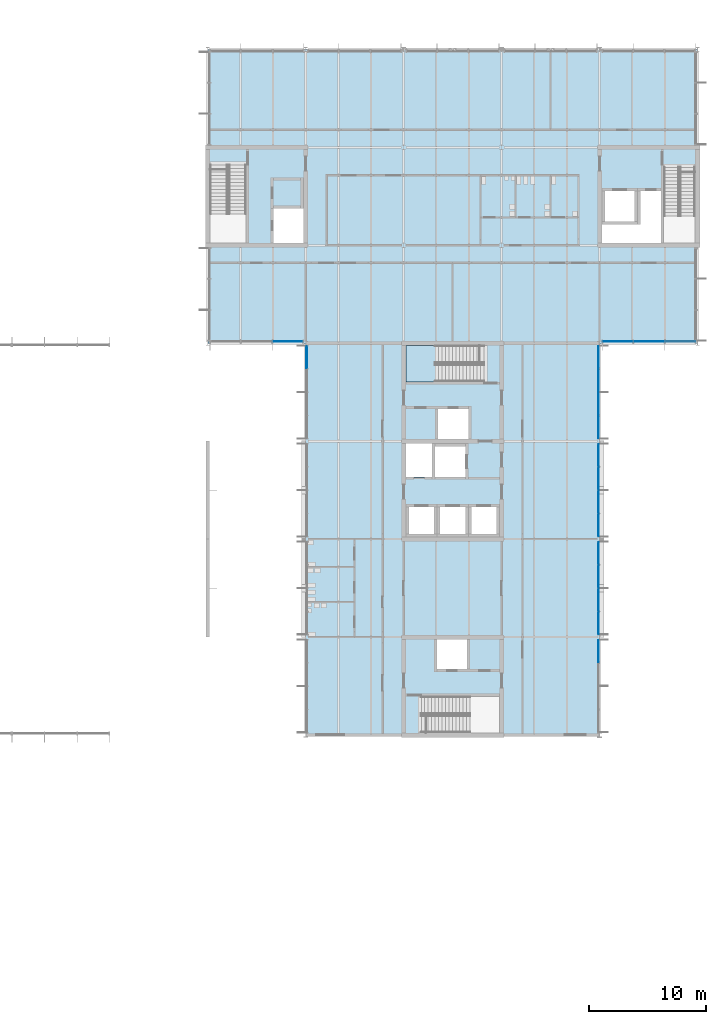
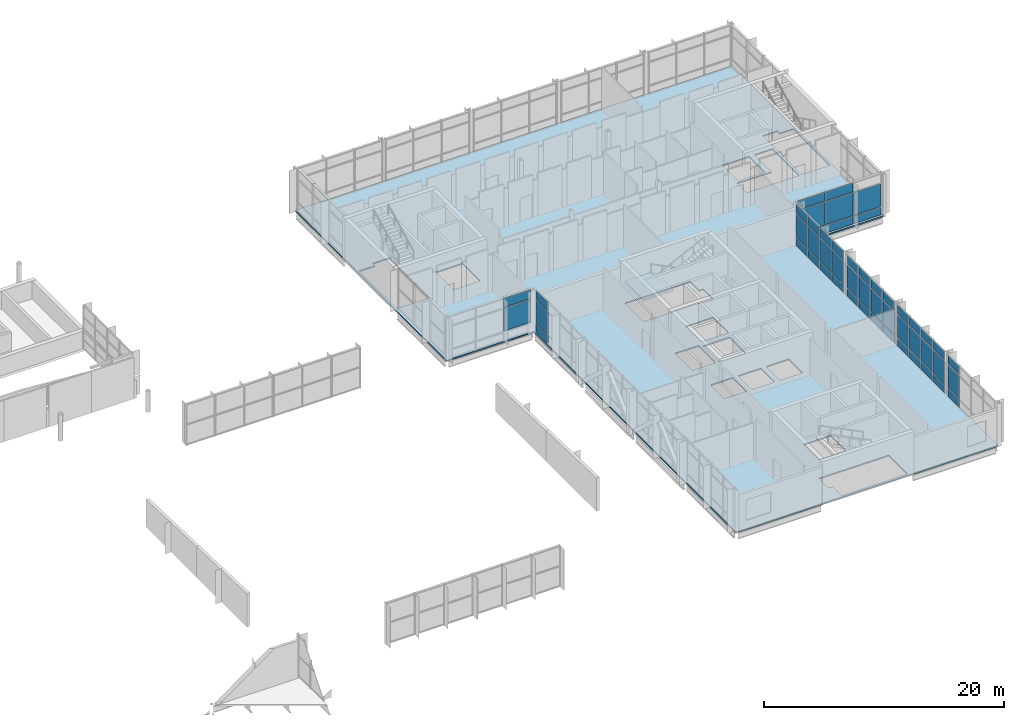
# One storey, part 34 of 72: 52 plates, 2 slabs, 8 elements without a shape of their own.
"""IFC4 building model written with IfcOpenShell, lengths in metres."""

from ifc_helpers import new_model, si_unit, direction, frame, origin, origin_2d, place, context, subcontext, project, spatial, polyline, rectangle, outline, extrude, material, layer, layer_set, type_object, element, aggregate, save


model = new_model("IFC4")

# Units and contexts
model_context = context("Model", 3, precision=1e-05, world=origin(), true_north=direction((0.0, 1.0)))
body_context = subcontext(model_context, "Body", "Model", "MODEL_VIEW")
ifc_project = project(units=[si_unit("LENGTHUNIT", "METRE"), si_unit("AREAUNIT", "SQUARE_METRE"), si_unit("VOLUMEUNIT", "CUBIC_METRE"), si_unit("PLANEANGLEUNIT", "RADIAN"), si_unit("MASSUNIT", "GRAM", prefix="KILO")], contexts=[model_context])

# Site, building, storey
site_placement = place(None, origin())
site = spatial("IfcSite", under=ifc_project, at=site_placement, CompositionType="ELEMENT")
building_placement = place(site_placement, origin())
building = spatial("IfcBuilding", under=site, at=building_placement, Name="Hlaing Beacon Police Headquarters", CompositionType="ELEMENT")
storey_placement = place(building_placement, frame((0.0, 0.0, 14.39990234375)))
storey = spatial("IfcBuildingStorey", under=building, at=storey_placement, Name="L03", CompositionType="ELEMENT", Elevation=14.39990234375)

# Curtain wall, plate
ifc_material_1 = material(Name="Aluminium frame with solar control glazing", Category="aluminium")
curtain_wall_type_1 = type_object("IfcCurtainWallType", Name="Unitised curtain wall 8.00 x 4.37", PredefinedType="NOTDEFINED", material=ifc_material_1)
curtain_wall_1_placement = place(storey_placement, origin())
curtain_wall_1 = element("IfcCurtainWall", 1, at=curtain_wall_1_placement, inside=storey, type_object=curtain_wall_type_1, Name="ENV-CW-L03-E021", PredefinedType="NOTDEFINED")
ifc_material_2 = material(Name="Solar control glazing", Category="glass")
ifc_layer_1 = layer(ifc_material_2, 0.0439453125)
ifc_layer_set_1 = layer_set([ifc_layer_1], Name="Solar control glazing")
plate_type_1 = type_object("IfcPlateType", Name="Clear glazing panel 44", PredefinedType="CURTAIN_PANEL", material=ifc_layer_set_1)
plate_1_placement = place(storey_placement, frame((125.89990234375, 40.79443359375, 0.9501953125), z_axis=(0.0, 0.0, 1.0), x_axis=(0.0, 1.0, 0.0)))
plate_1 = element("IfcPlate", 2, at=plate_1_placement, type_object=plate_type_1, Name="CW-L03-E021 panel 4.2", PredefinedType="CURTAIN_PANEL", context=body_context, shape_type="SweptSolid", body=[
    extrude(rectangle(XDim=1.910400390625, YDim=0.0439453125, at=origin_2d()), origin(), (0.0, 0.0, 1.0), 2.300048828125),
])

# Curtain wall, plates
ifc_material_3 = material(Name="Aluminium frame with solar control glazing", Category="aluminium")
curtain_wall_type_2 = type_object("IfcCurtainWallType", Name="Unitised curtain wall 8.02 x 4.37", PredefinedType="NOTDEFINED", material=ifc_material_3)
curtain_wall_2_placement = place(storey_placement, origin())
curtain_wall_2 = element("IfcCurtainWall", 3, at=curtain_wall_2_placement, inside=storey, type_object=curtain_wall_type_2, Name="ENV-CW-L03-E022", PredefinedType="NOTDEFINED")
plate_2_placement = place(storey_placement, frame((125.909912109375, 45.197509765625, 0.9501953125), z_axis=(0.0, 0.0, 1.0), x_axis=(0.0, 1.0, 0.0)))
plate_2 = element("IfcPlate", 4, at=plate_2_placement, type_object=plate_type_1, Name="CW-L03-E022 panel 2.2", PredefinedType="CURTAIN_PANEL", context=body_context, shape_type="SweptSolid", body=[
    extrude(rectangle(XDim=1.94482421875, YDim=0.0439453125, at=origin_2d()), origin(), (0.0, 0.0, 1.0), 2.300048828125),
])
plate_3_placement = place(storey_placement, frame((125.909912109375, 49.192138671875, 0.9501953125), z_axis=(0.0, 0.0, 1.0), x_axis=(0.0, 1.0, 0.0)))
plate_3 = element("IfcPlate", 5, at=plate_3_placement, type_object=plate_type_1, Name="CW-L03-E022 panel 4.2", PredefinedType="CURTAIN_PANEL", context=body_context, shape_type="SweptSolid", body=[
    extrude(rectangle(XDim=1.914794921875, YDim=0.0439453125, at=origin_2d()), origin(), (0.0, 0.0, 1.0), 2.300048828125),
])

curtain_wall_3_placement = place(storey_placement, origin())
curtain_wall_3 = element("IfcCurtainWall", 6, at=curtain_wall_3_placement, inside=storey, type_object=curtain_wall_type_2, Name="ENV-CW-L03-E023", PredefinedType="NOTDEFINED")
plate_4_placement = place(storey_placement, frame((125.909912109375, 53.59765625, 0.9501953125), z_axis=(0.0, 0.0, 1.0), x_axis=(0.0, 1.0, 0.0)))
plate_4 = element("IfcPlate", 7, at=plate_4_placement, type_object=plate_type_1, Name="CW-L03-E023 panel 2.2", PredefinedType="CURTAIN_PANEL", context=body_context, shape_type="SweptSolid", body=[
    extrude(rectangle(XDim=1.94482421875, YDim=0.0439453125, at=origin_2d()), origin(), (0.0, 0.0, 1.0), 2.300048828125),
])
plate_5_placement = place(storey_placement, frame((125.909912109375, 57.592041015625, 0.9501953125), z_axis=(0.0, 0.0, 1.0), x_axis=(0.0, 1.0, 0.0)))
plate_5 = element("IfcPlate", 8, at=plate_5_placement, type_object=plate_type_1, Name="CW-L03-E023 panel 4.2", PredefinedType="CURTAIN_PANEL", context=body_context, shape_type="SweptSolid", body=[
    extrude(rectangle(XDim=1.914794921875, YDim=0.0439453125, at=origin_2d()), origin(), (0.0, 0.0, 1.0), 2.300048828125),
])

curtain_wall_4_placement = place(storey_placement, origin())
curtain_wall_4 = element("IfcCurtainWall", 9, at=curtain_wall_4_placement, inside=storey, type_object=curtain_wall_type_2, Name="ENV-CW-L03-E024", PredefinedType="NOTDEFINED")
plate_6_placement = place(storey_placement, frame((125.89990234375, 61.9990234375, 0.9501953125), z_axis=(0.0, 0.0, 1.0), x_axis=(0.0, 1.0, 0.0)))
plate_6 = element("IfcPlate", 10, at=plate_6_placement, type_object=plate_type_1, Name="CW-L03-E024 panel 2.2", PredefinedType="CURTAIN_PANEL", context=body_context, shape_type="SweptSolid", body=[
    extrude(rectangle(XDim=1.94580078125, YDim=0.0439453125, at=origin_2d()), origin(), (0.0, 0.0, 1.0), 2.300048828125),
])
plate_7_placement = place(storey_placement, frame((125.89990234375, 65.995361328125, 0.9501953125), z_axis=(0.0, 0.0, 1.0), x_axis=(0.0, 1.0, 0.0)))
plate_7 = element("IfcPlate", 11, at=plate_7_placement, type_object=plate_type_1, Name="CW-L03-E024 panel 4.2", PredefinedType="CURTAIN_PANEL", context=body_context, shape_type="SweptSolid", body=[
    extrude(rectangle(XDim=1.915771484375, YDim=0.0439453125, at=origin_2d()), origin(), (0.0, 0.0, 1.0), 2.300048828125),
])

# Slab
ifc_material_4 = material(Name="Concrete C40/50", Category="concrete")
ifc_layer_2 = layer(ifc_material_4, 0.1298828125)
ifc_layer_set_2 = layer_set([ifc_layer_2], Name="Concrete C40/50")
slab_type_1 = type_object("IfcSlabType", Name="Composite deck slab 130", PredefinedType="FLOOR", material=ifc_layer_set_2)
slab_1_placement = place(storey_placement, frame((0.0, 0.0, -0.1298828125)))
element("IfcSlab", 12, at=slab_1_placement, inside=storey, type_object=slab_type_1, Name="STR-SLAB-L03-02", PredefinedType="FLOOR", context=body_context, shape_type="SweptSolid", body=[
    extrude(outline(polyline([(100.800048828125, 33.60009765625), (126.0, 33.60009765625), (126.0, 67.199951171875), (134.39990234375, 67.199951171875), (134.39990234375, 92.39990234375), (92.39990234375, 92.39990234375), (92.39990234375, 67.199951171875), (100.800048828125, 67.199951171875), (100.800048828125, 33.60009765625)]), holes=[polyline([(92.60009765625, 75.800048828125), (95.699951171875, 75.800048828125), (95.699951171875, 82.489990234375), (94.10009765625, 82.489990234375), (94.10009765625, 82.10009765625), (92.60009765625, 82.10009765625), (92.60009765625, 75.800048828125)]), polyline([(98.050048828125, 75.800048828125), (100.60009765625, 75.800048828125), (100.60009765625, 78.75), (98.050048828125, 78.75), (98.050048828125, 75.800048828125)]), polyline([(109.39990234375, 55.75), (111.64990234375, 55.75), (111.64990234375, 58.60009765625), (109.39990234375, 58.60009765625), (109.39990234375, 55.75)]), polyline([(109.39990234375, 63.89990234375), (116.090087890625, 63.89990234375), (116.090087890625, 65.5), (115.699951171875, 65.5), (115.699951171875, 67.0), (109.39990234375, 67.0), (109.39990234375, 63.89990234375)]), polyline([(109.64990234375, 50.85009765625), (111.800048828125, 50.85009765625), (111.800048828125, 53.14990234375), (109.64990234375, 53.14990234375), (109.64990234375, 50.85009765625)]), polyline([(111.10009765625, 33.800048828125), (117.39990234375, 33.800048828125), (117.39990234375, 36.89990234375), (110.7099609375, 36.89990234375), (110.7099609375, 35.300048828125), (111.10009765625, 35.300048828125), (111.10009765625, 33.800048828125)]), polyline([(111.89990234375, 55.75), (114.5, 55.75), (114.5, 58.35009765625), (111.89990234375, 58.35009765625), (111.89990234375, 55.75)]), polyline([(112.050048828125, 39.25), (114.64990234375, 39.25), (114.64990234375, 41.800048828125), (112.050048828125, 41.800048828125), (112.050048828125, 39.25)]), polyline([(112.14990234375, 59.0), (114.75, 59.0), (114.75, 61.550048828125), (112.14990234375, 61.550048828125), (112.14990234375, 59.0)]), polyline([(112.300048828125, 50.85009765625), (114.5, 50.85009765625), (114.5, 53.14990234375), (112.300048828125, 53.14990234375), (112.300048828125, 50.85009765625)]), polyline([(115.0, 50.85009765625), (117.14990234375, 50.85009765625), (117.14990234375, 53.14990234375), (115.0, 53.14990234375), (115.0, 50.85009765625)]), polyline([(126.199951171875, 75.800048828125), (131.25, 75.800048828125), (131.25, 80.25), (129.5, 80.25), (129.5, 77.39990234375), (126.199951171875, 77.39990234375), (126.199951171875, 75.800048828125)]), polyline([(126.449951171875, 77.64990234375), (129.0, 77.64990234375), (129.0, 80.25), (126.449951171875, 80.25), (126.449951171875, 77.64990234375)]), polyline([(131.5, 75.800048828125), (134.199951171875, 75.800048828125), (134.199951171875, 81.89990234375), (132.89990234375, 81.89990234375), (132.89990234375, 82.2900390625), (131.5, 82.2900390625), (131.5, 75.800048828125)])]), origin(), (0.0, 0.0, 1.0), 0.1298828125),
])

# Plate
ifc_material_5 = material(Name="Fritted solar control glazing", Category="glass")
ifc_layer_3 = layer(ifc_material_5, 0.0439453125)
ifc_layer_set_3 = layer_set([ifc_layer_3], Name="Fritted solar control glazing")
plate_type_2 = type_object("IfcPlateType", Name="Fritted glazing panel 44", PredefinedType="CURTAIN_PANEL", material=ifc_layer_set_3)
plate_8_placement = place(storey_placement, frame((125.909912109375, 43.207763671875, 0.9501953125), z_axis=(0.0, 0.0, 1.0), x_axis=(0.0, 1.0, 0.0)))
plate_8 = element("IfcPlate", 13, at=plate_8_placement, type_object=plate_type_2, Name="CW-L03-E022 panel 1.2", PredefinedType="CURTAIN_PANEL", context=body_context, shape_type="SweptSolid", body=[
    extrude(rectangle(XDim=1.914794921875, YDim=0.0439453125, at=origin_2d()), origin(), (0.0, 0.0, 1.0), 2.300048828125),
])

plate_9_placement = place(storey_placement, frame((125.909912109375, 47.202392578125, 0.9501953125), z_axis=(0.0, 0.0, 1.0), x_axis=(0.0, 1.0, 0.0)))
plate_9 = element("IfcPlate", 14, at=plate_9_placement, type_object=plate_type_2, Name="CW-L03-E022 panel 3.2", PredefinedType="CURTAIN_PANEL", context=body_context, shape_type="SweptSolid", body=[
    extrude(rectangle(XDim=1.94482421875, YDim=0.0439453125, at=origin_2d()), origin(), (0.0, 0.0, 1.0), 2.300048828125),
])

plate_10_placement = place(storey_placement, frame((125.909912109375, 51.60791015625, 0.9501953125), z_axis=(0.0, 0.0, 1.0), x_axis=(0.0, 1.0, 0.0)))
plate_10 = element("IfcPlate", 15, at=plate_10_placement, type_object=plate_type_2, Name="CW-L03-E023 panel 1.2", PredefinedType="CURTAIN_PANEL", context=body_context, shape_type="SweptSolid", body=[
    extrude(rectangle(XDim=1.914794921875, YDim=0.0439453125, at=origin_2d()), origin(), (0.0, 0.0, 1.0), 2.300048828125),
])

plate_11_placement = place(storey_placement, frame((125.909912109375, 55.602294921875, 0.9501953125), z_axis=(0.0, 0.0, 1.0), x_axis=(0.0, 1.0, 0.0)))
plate_11 = element("IfcPlate", 16, at=plate_11_placement, type_object=plate_type_2, Name="CW-L03-E023 panel 3.2", PredefinedType="CURTAIN_PANEL", context=body_context, shape_type="SweptSolid", body=[
    extrude(rectangle(XDim=1.94482421875, YDim=0.0439453125, at=origin_2d()), origin(), (0.0, 0.0, 1.0), 2.300048828125),
])

plate_12_placement = place(storey_placement, frame((125.89990234375, 60.00830078125, 0.9501953125), z_axis=(0.0, 0.0, 1.0), x_axis=(0.0, 1.0, 0.0)))
plate_12 = element("IfcPlate", 17, at=plate_12_placement, type_object=plate_type_2, Name="CW-L03-E024 panel 1.2", PredefinedType="CURTAIN_PANEL", context=body_context, shape_type="SweptSolid", body=[
    extrude(rectangle(XDim=1.915771484375, YDim=0.0439453125, at=origin_2d()), origin(), (0.0, 0.0, 1.0), 2.300048828125),
])

plate_13_placement = place(storey_placement, frame((125.89990234375, 64.004638671875, 0.9501953125), z_axis=(0.0, 0.0, 1.0), x_axis=(0.0, 1.0, 0.0)))
plate_13 = element("IfcPlate", 18, at=plate_13_placement, type_object=plate_type_2, Name="CW-L03-E024 panel 3.2", PredefinedType="CURTAIN_PANEL", context=body_context, shape_type="SweptSolid", body=[
    extrude(rectangle(XDim=1.94580078125, YDim=0.0439453125, at=origin_2d()), origin(), (0.0, 0.0, 1.0), 2.300048828125),
])

# Curtain wall, plate
curtain_wall_5_placement = place(storey_placement, origin())
curtain_wall_5 = element("IfcCurtainWall", 19, at=curtain_wall_5_placement, inside=storey, type_object=curtain_wall_type_2, Name="ENV-CW-L03-W036", PredefinedType="NOTDEFINED")
plate_14_placement = place(storey_placement, frame((100.89990234375, 65.995361328125, 0.9501953125), z_axis=(0.0, 0.0, 1.0), x_axis=(0.0, -1.0, 0.0)))
plate_14 = element("IfcPlate", 20, at=plate_14_placement, type_object=plate_type_2, Name="CW-L03-W036 panel 1.2", PredefinedType="CURTAIN_PANEL", context=body_context, shape_type="SweptSolid", body=[
    extrude(rectangle(XDim=1.915771484375, YDim=0.0439453125, at=origin_2d()), origin(), (0.0, 0.0, 1.0), 2.300048828125),
])

# Plate
ifc_material_6 = material(Name="Insulated aluminium spandrel", Category="aluminium")
ifc_layer_4 = layer(ifc_material_6, 0.06005859375)
ifc_layer_set_4 = layer_set([ifc_layer_4], Name="Insulated aluminium spandrel")
plate_type_3 = type_object("IfcPlateType", Name="Insulated spandrel panel 60", PredefinedType="CURTAIN_PANEL", material=ifc_layer_set_4)
plate_15_placement = place(storey_placement, frame((125.89990234375, 40.79443359375, 0.10009765625), z_axis=(0.0, 0.0, 1.0), x_axis=(0.0, 1.0, 0.0)))
plate_15 = element("IfcPlate", 21, at=plate_15_placement, type_object=plate_type_3, Name="CW-L03-E021 panel 4.1", PredefinedType="CURTAIN_PANEL", context=body_context, shape_type="SweptSolid", body=[
    extrude(rectangle(XDim=1.910400390625, YDim=0.06005859375, at=origin_2d()), origin(), (0.0, 0.0, 1.0), 0.75),
])

plate_16_placement = place(storey_placement, frame((125.909912109375, 43.207763671875, 0.10009765625), z_axis=(0.0, 0.0, 1.0), x_axis=(0.0, 1.0, 0.0)))
plate_16 = element("IfcPlate", 22, at=plate_16_placement, type_object=plate_type_3, Name="CW-L03-E022 panel 1.1", PredefinedType="CURTAIN_PANEL", context=body_context, shape_type="SweptSolid", body=[
    extrude(rectangle(XDim=1.914794921875, YDim=0.06005859375, at=origin_2d()), origin(), (0.0, 0.0, 1.0), 0.75),
])

plate_17_placement = place(storey_placement, frame((125.909912109375, 45.197509765625, 0.10009765625), z_axis=(0.0, 0.0, 1.0), x_axis=(0.0, 1.0, 0.0)))
plate_17 = element("IfcPlate", 23, at=plate_17_placement, type_object=plate_type_3, Name="CW-L03-E022 panel 2.1", PredefinedType="CURTAIN_PANEL", context=body_context, shape_type="SweptSolid", body=[
    extrude(rectangle(XDim=1.94482421875, YDim=0.06005859375, at=origin_2d()), origin(), (0.0, 0.0, 1.0), 0.75),
])

plate_18_placement = place(storey_placement, frame((125.909912109375, 47.202392578125, 0.10009765625), z_axis=(0.0, 0.0, 1.0), x_axis=(0.0, 1.0, 0.0)))
plate_18 = element("IfcPlate", 24, at=plate_18_placement, type_object=plate_type_3, Name="CW-L03-E022 panel 3.1", PredefinedType="CURTAIN_PANEL", context=body_context, shape_type="SweptSolid", body=[
    extrude(rectangle(XDim=1.94482421875, YDim=0.06005859375, at=origin_2d()), origin(), (0.0, 0.0, 1.0), 0.75),
])

plate_19_placement = place(storey_placement, frame((125.909912109375, 49.192138671875, 0.10009765625), z_axis=(0.0, 0.0, 1.0), x_axis=(0.0, 1.0, 0.0)))
plate_19 = element("IfcPlate", 25, at=plate_19_placement, type_object=plate_type_3, Name="CW-L03-E022 panel 4.1", PredefinedType="CURTAIN_PANEL", context=body_context, shape_type="SweptSolid", body=[
    extrude(rectangle(XDim=1.914794921875, YDim=0.06005859375, at=origin_2d()), origin(), (0.0, 0.0, 1.0), 0.75),
])

plate_20_placement = place(storey_placement, frame((125.909912109375, 51.60791015625, 0.10009765625), z_axis=(0.0, 0.0, 1.0), x_axis=(0.0, 1.0, 0.0)))
plate_20 = element("IfcPlate", 26, at=plate_20_placement, type_object=plate_type_3, Name="CW-L03-E023 panel 1.1", PredefinedType="CURTAIN_PANEL", context=body_context, shape_type="SweptSolid", body=[
    extrude(rectangle(XDim=1.914794921875, YDim=0.06005859375, at=origin_2d()), origin(), (0.0, 0.0, 1.0), 0.75),
])

plate_21_placement = place(storey_placement, frame((125.909912109375, 53.59765625, 0.10009765625), z_axis=(0.0, 0.0, 1.0), x_axis=(0.0, 1.0, 0.0)))
plate_21 = element("IfcPlate", 27, at=plate_21_placement, type_object=plate_type_3, Name="CW-L03-E023 panel 2.1", PredefinedType="CURTAIN_PANEL", context=body_context, shape_type="SweptSolid", body=[
    extrude(rectangle(XDim=1.94482421875, YDim=0.06005859375, at=origin_2d()), origin(), (0.0, 0.0, 1.0), 0.75),
])

plate_22_placement = place(storey_placement, frame((125.909912109375, 55.602294921875, 0.10009765625), z_axis=(0.0, 0.0, 1.0), x_axis=(0.0, 1.0, 0.0)))
plate_22 = element("IfcPlate", 28, at=plate_22_placement, type_object=plate_type_3, Name="CW-L03-E023 panel 3.1", PredefinedType="CURTAIN_PANEL", context=body_context, shape_type="SweptSolid", body=[
    extrude(rectangle(XDim=1.94482421875, YDim=0.06005859375, at=origin_2d()), origin(), (0.0, 0.0, 1.0), 0.75),
])

plate_23_placement = place(storey_placement, frame((125.909912109375, 57.592041015625, 0.10009765625), z_axis=(0.0, 0.0, 1.0), x_axis=(0.0, 1.0, 0.0)))
plate_23 = element("IfcPlate", 29, at=plate_23_placement, type_object=plate_type_3, Name="CW-L03-E023 panel 4.1", PredefinedType="CURTAIN_PANEL", context=body_context, shape_type="SweptSolid", body=[
    extrude(rectangle(XDim=1.914794921875, YDim=0.06005859375, at=origin_2d()), origin(), (0.0, 0.0, 1.0), 0.75),
])

plate_24_placement = place(storey_placement, frame((125.89990234375, 60.00830078125, 0.10009765625), z_axis=(0.0, 0.0, 1.0), x_axis=(0.0, 1.0, 0.0)))
plate_24 = element("IfcPlate", 30, at=plate_24_placement, type_object=plate_type_3, Name="CW-L03-E024 panel 1.1", PredefinedType="CURTAIN_PANEL", context=body_context, shape_type="SweptSolid", body=[
    extrude(rectangle(XDim=1.915771484375, YDim=0.06005859375, at=origin_2d()), origin(), (0.0, 0.0, 1.0), 0.75),
])

plate_25_placement = place(storey_placement, frame((125.89990234375, 61.9990234375, 0.10009765625), z_axis=(0.0, 0.0, 1.0), x_axis=(0.0, 1.0, 0.0)))
plate_25 = element("IfcPlate", 31, at=plate_25_placement, type_object=plate_type_3, Name="CW-L03-E024 panel 2.1", PredefinedType="CURTAIN_PANEL", context=body_context, shape_type="SweptSolid", body=[
    extrude(rectangle(XDim=1.94580078125, YDim=0.06005859375, at=origin_2d()), origin(), (0.0, 0.0, 1.0), 0.75),
])

plate_26_placement = place(storey_placement, frame((125.89990234375, 64.004638671875, 0.10009765625), z_axis=(0.0, 0.0, 1.0), x_axis=(0.0, 1.0, 0.0)))
plate_26 = element("IfcPlate", 32, at=plate_26_placement, type_object=plate_type_3, Name="CW-L03-E024 panel 3.1", PredefinedType="CURTAIN_PANEL", context=body_context, shape_type="SweptSolid", body=[
    extrude(rectangle(XDim=1.94580078125, YDim=0.06005859375, at=origin_2d()), origin(), (0.0, 0.0, 1.0), 0.75),
])

plate_27_placement = place(storey_placement, frame((125.89990234375, 65.995361328125, 0.10009765625), z_axis=(0.0, 0.0, 1.0), x_axis=(0.0, 1.0, 0.0)))
plate_27 = element("IfcPlate", 33, at=plate_27_placement, type_object=plate_type_3, Name="CW-L03-E024 panel 4.1", PredefinedType="CURTAIN_PANEL", context=body_context, shape_type="SweptSolid", body=[
    extrude(rectangle(XDim=1.915771484375, YDim=0.06005859375, at=origin_2d()), origin(), (0.0, 0.0, 1.0), 0.75),
])

# Curtain wall, plates
ifc_material_7 = material(Name="Aluminium frame with solar control glazing", Category="aluminium")
curtain_wall_type_3 = type_object("IfcCurtainWallType", Name="Structural glazed gable wall 8.09 x 4.37", PredefinedType="NOTDEFINED", material=ifc_material_7)
curtain_wall_6_placement = place(storey_placement, origin())
curtain_wall_6 = element("IfcCurtainWall", 34, at=curtain_wall_6_placement, inside=storey, type_object=curtain_wall_type_3, Name="ENV-CW-L03-S025", PredefinedType="NOTDEFINED")
ifc_material_8 = material(Name="Insulated aluminium spandrel", Category="aluminium")
ifc_layer_5 = layer(ifc_material_8, 0.080078125)
ifc_layer_set_5 = layer_set([ifc_layer_5], Name="Insulated aluminium spandrel")
plate_type_4 = type_object("IfcPlateType", Name="Insulated spandrel panel 80", PredefinedType="CURTAIN_PANEL", material=ifc_layer_set_5)
plate_28_placement = place(storey_placement, frame((127.554443359375, 67.35009765625, 0.10009765625), z_axis=(0.0, 0.0, 1.0), x_axis=(1.0, 0.0, 0.0)))
plate_28 = element("IfcPlate", 35, at=plate_28_placement, type_object=plate_type_4, Name="CW-L03-S025 panel 1.1", PredefinedType="CURTAIN_PANEL", context=body_context, shape_type="SweptSolid", body=[
    extrude(rectangle(XDim=2.575439453125, YDim=0.080078125, at=origin_2d()), origin(), (0.0, 0.0, 1.0), 0.75),
])
plate_29_placement = place(storey_placement, frame((130.229736328125, 67.35009765625, 0.10009765625), z_axis=(0.0, 0.0, 1.0), x_axis=(1.0, 0.0, 0.0)))
plate_29 = element("IfcPlate", 36, at=plate_29_placement, type_object=plate_type_4, Name="CW-L03-S025 panel 2.1", PredefinedType="CURTAIN_PANEL", context=body_context, shape_type="SweptSolid", body=[
    extrude(rectangle(XDim=2.615478515625, YDim=0.080078125, at=origin_2d()), origin(), (0.0, 0.0, 1.0), 0.75),
])
plate_30_placement = place(storey_placement, frame((132.9052734375, 67.35009765625, 0.10009765625), z_axis=(0.0, 0.0, 1.0), x_axis=(1.0, 0.0, 0.0)))
plate_30 = element("IfcPlate", 37, at=plate_30_placement, type_object=plate_type_4, Name="CW-L03-S025 panel 3.1", PredefinedType="CURTAIN_PANEL", context=body_context, shape_type="SweptSolid", body=[
    extrude(rectangle(XDim=2.575439453125, YDim=0.080078125, at=origin_2d()), origin(), (0.0, 0.0, 1.0), 0.75),
])

# Plate
plate_31_placement = place(storey_placement, frame((100.89990234375, 65.995361328125, 0.10009765625), z_axis=(0.0, 0.0, 1.0), x_axis=(0.0, -1.0, 0.0)))
plate_31 = element("IfcPlate", 38, at=plate_31_placement, type_object=plate_type_4, Name="CW-L03-W036 panel 1.1", PredefinedType="CURTAIN_PANEL", context=body_context, shape_type="SweptSolid", body=[
    extrude(rectangle(XDim=1.915771484375, YDim=0.080078125, at=origin_2d()), origin(), (0.0, 0.0, 1.0), 0.75),
])

ifc_material_9 = material(Name="Laminated solar control glazing", Category="glass")
ifc_layer_6 = layer(ifc_material_9, 0.031982421875)
ifc_layer_set_6 = layer_set([ifc_layer_6], Name="Laminated solar control glazing")
plate_type_5 = type_object("IfcPlateType", Name="Laminated glazing panel 32", PredefinedType="CURTAIN_PANEL", material=ifc_layer_set_6)
plate_32_placement = place(storey_placement, frame((127.554443359375, 67.35009765625, 3.35009765625), z_axis=(0.0, 0.0, 1.0), x_axis=(1.0, 0.0, 0.0)))
plate_32 = element("IfcPlate", 39, at=plate_32_placement, type_object=plate_type_5, Name="CW-L03-S025 panel 1.3", PredefinedType="CURTAIN_PANEL", context=body_context, shape_type="SweptSolid", body=[
    extrude(rectangle(XDim=2.575439453125, YDim=0.031982421875, at=origin_2d()), origin(), (0.0, 0.0, 1.0), 0.919921875),
])

plate_33_placement = place(storey_placement, frame((130.229736328125, 67.35009765625, 3.35009765625), z_axis=(0.0, 0.0, 1.0), x_axis=(1.0, 0.0, 0.0)))
plate_33 = element("IfcPlate", 40, at=plate_33_placement, type_object=plate_type_5, Name="CW-L03-S025 panel 2.3", PredefinedType="CURTAIN_PANEL", context=body_context, shape_type="SweptSolid", body=[
    extrude(rectangle(XDim=2.615478515625, YDim=0.031982421875, at=origin_2d()), origin(), (0.0, 0.0, 1.0), 0.919921875),
])

# Curtain wall, plates
ifc_material_10 = material(Name="Aluminium frame with solar control glazing", Category="aluminium")
curtain_wall_type_4 = type_object("IfcCurtainWallType", Name="Structural glazed gable wall 8.06 x 4.37", PredefinedType="NOTDEFINED", material=ifc_material_10)
curtain_wall_7_placement = place(storey_placement, origin())
curtain_wall_7 = element("IfcCurtainWall", 41, at=curtain_wall_7_placement, inside=storey, type_object=curtain_wall_type_4, Name="ENV-CW-L03-S035", PredefinedType="NOTDEFINED")
plate_34_placement = place(storey_placement, frame((99.24951171875, 67.35009765625, 3.35009765625), z_axis=(0.0, 0.0, 1.0), x_axis=(1.0, 0.0, 0.0)))
plate_34 = element("IfcPlate", 42, at=plate_34_placement, type_object=plate_type_5, Name="CW-L03-S035 panel 3.3", PredefinedType="CURTAIN_PANEL", context=body_context, shape_type="SweptSolid", body=[
    extrude(rectangle(XDim=2.56787109375, YDim=0.031982421875, at=origin_2d()), origin(), (0.0, 0.0, 1.0), 0.919921875),
])
ifc_material_11 = material(Name="Laminated solar control glazing", Category="glass")
ifc_layer_7 = layer(ifc_material_11, 0.0439453125)
ifc_layer_set_7 = layer_set([ifc_layer_7], Name="Laminated solar control glazing")
plate_type_6 = type_object("IfcPlateType", Name="Laminated glazing panel 44", PredefinedType="CURTAIN_PANEL", material=ifc_layer_set_7)
plate_35_placement = place(storey_placement, frame((99.24951171875, 67.35009765625, 0.9501953125), z_axis=(0.0, 0.0, 1.0), x_axis=(1.0, 0.0, 0.0)))
plate_35 = element("IfcPlate", 43, at=plate_35_placement, type_object=plate_type_6, Name="CW-L03-S035 panel 3.2", PredefinedType="CURTAIN_PANEL", context=body_context, shape_type="SweptSolid", body=[
    extrude(rectangle(XDim=2.56787109375, YDim=0.0439453125, at=origin_2d()), origin(), (0.0, 0.0, 1.0), 2.300048828125),
])
aggregate(curtain_wall_7, [plate_35, plate_34])

# Plate
ifc_material_12 = material(Name="Laminated solar control glazing", Category="glass")
ifc_layer_8 = layer(ifc_material_12, 0.06591796875)
ifc_layer_set_8 = layer_set([ifc_layer_8], Name="Laminated solar control glazing")
plate_type_7 = type_object("IfcPlateType", Name="Laminated glazing panel 66", PredefinedType="CURTAIN_PANEL", material=ifc_layer_set_8)
plate_36_placement = place(storey_placement, frame((127.554443359375, 67.35009765625, 0.9501953125), z_axis=(0.0, 0.0, 1.0), x_axis=(1.0, 0.0, 0.0)))
plate_36 = element("IfcPlate", 44, at=plate_36_placement, type_object=plate_type_7, Name="CW-L03-S025 panel 1.2", PredefinedType="CURTAIN_PANEL", context=body_context, shape_type="SweptSolid", body=[
    extrude(rectangle(XDim=2.575439453125, YDim=0.06591796875, at=origin_2d()), origin(), (0.0, 0.0, 1.0), 2.300048828125),
])

plate_37_placement = place(storey_placement, frame((130.229736328125, 67.35009765625, 0.9501953125), z_axis=(0.0, 0.0, 1.0), x_axis=(1.0, 0.0, 0.0)))
plate_37 = element("IfcPlate", 45, at=plate_37_placement, type_object=plate_type_7, Name="CW-L03-S025 panel 2.2", PredefinedType="CURTAIN_PANEL", context=body_context, shape_type="SweptSolid", body=[
    extrude(rectangle(XDim=2.615478515625, YDim=0.06591796875, at=origin_2d()), origin(), (0.0, 0.0, 1.0), 2.300048828125),
])

plate_38_placement = place(storey_placement, frame((132.9052734375, 67.35009765625, 0.9501953125), z_axis=(0.0, 0.0, 1.0), x_axis=(1.0, 0.0, 0.0)))
plate_38 = element("IfcPlate", 46, at=plate_38_placement, type_object=plate_type_7, Name="CW-L03-S025 panel 3.2", PredefinedType="CURTAIN_PANEL", context=body_context, shape_type="SweptSolid", body=[
    extrude(rectangle(XDim=2.575439453125, YDim=0.06591796875, at=origin_2d()), origin(), (0.0, 0.0, 1.0), 2.300048828125),
])

aggregate(curtain_wall_6, [plate_28, plate_36, plate_32, plate_29, plate_37, plate_33, plate_30, plate_38])

ifc_material_13 = material(Name="Perforated aluminium", Category="aluminium")
ifc_layer_9 = layer(ifc_material_13, 0.00390625)
ifc_layer_set_9 = layer_set([ifc_layer_9], Name="Perforated aluminium")
plate_type_8 = type_object("IfcPlateType", Name="Perforated aluminium vent panel 4", PredefinedType="CURTAIN_PANEL", material=ifc_layer_set_9)
plate_39_placement = place(storey_placement, frame((125.89990234375, 40.79443359375, 3.35009765625), z_axis=(0.0, 0.0, 1.0), x_axis=(0.0, 1.0, 0.0)))
plate_39 = element("IfcPlate", 47, at=plate_39_placement, type_object=plate_type_8, Name="CW-L03-E021 panel 4.3", PredefinedType="CURTAIN_PANEL", context=body_context, shape_type="SweptSolid", body=[
    extrude(rectangle(XDim=1.910400390625, YDim=0.00390625, at=origin_2d()), origin(), (0.0, 0.0, 1.0), 0.919921875),
])

aggregate(curtain_wall_1, [plate_15, plate_1, plate_39])

plate_40_placement = place(storey_placement, frame((125.909912109375, 43.207763671875, 3.35009765625), z_axis=(0.0, 0.0, 1.0), x_axis=(0.0, 1.0, 0.0)))
plate_40 = element("IfcPlate", 48, at=plate_40_placement, type_object=plate_type_8, Name="CW-L03-E022 panel 1.3", PredefinedType="CURTAIN_PANEL", context=body_context, shape_type="SweptSolid", body=[
    extrude(rectangle(XDim=1.914794921875, YDim=0.00390625, at=origin_2d()), origin(), (0.0, 0.0, 1.0), 0.919921875),
])

plate_41_placement = place(storey_placement, frame((125.909912109375, 45.197509765625, 3.35009765625), z_axis=(0.0, 0.0, 1.0), x_axis=(0.0, 1.0, 0.0)))
plate_41 = element("IfcPlate", 49, at=plate_41_placement, type_object=plate_type_8, Name="CW-L03-E022 panel 2.3", PredefinedType="CURTAIN_PANEL", context=body_context, shape_type="SweptSolid", body=[
    extrude(rectangle(XDim=1.94482421875, YDim=0.00390625, at=origin_2d()), origin(), (0.0, 0.0, 1.0), 0.919921875),
])

plate_42_placement = place(storey_placement, frame((125.909912109375, 47.202392578125, 3.35009765625), z_axis=(0.0, 0.0, 1.0), x_axis=(0.0, 1.0, 0.0)))
plate_42 = element("IfcPlate", 50, at=plate_42_placement, type_object=plate_type_8, Name="CW-L03-E022 panel 3.3", PredefinedType="CURTAIN_PANEL", context=body_context, shape_type="SweptSolid", body=[
    extrude(rectangle(XDim=1.94482421875, YDim=0.00390625, at=origin_2d()), origin(), (0.0, 0.0, 1.0), 0.919921875),
])

plate_43_placement = place(storey_placement, frame((125.909912109375, 49.192138671875, 3.35009765625), z_axis=(0.0, 0.0, 1.0), x_axis=(0.0, 1.0, 0.0)))
plate_43 = element("IfcPlate", 51, at=plate_43_placement, type_object=plate_type_8, Name="CW-L03-E022 panel 4.3", PredefinedType="CURTAIN_PANEL", context=body_context, shape_type="SweptSolid", body=[
    extrude(rectangle(XDim=1.914794921875, YDim=0.00390625, at=origin_2d()), origin(), (0.0, 0.0, 1.0), 0.919921875),
])

aggregate(curtain_wall_2, [plate_16, plate_8, plate_40, plate_17, plate_2, plate_41, plate_18, plate_9, plate_42, plate_19, plate_3, plate_43])

plate_44_placement = place(storey_placement, frame((125.909912109375, 51.60791015625, 3.35009765625), z_axis=(0.0, 0.0, 1.0), x_axis=(0.0, 1.0, 0.0)))
plate_44 = element("IfcPlate", 52, at=plate_44_placement, type_object=plate_type_8, Name="CW-L03-E023 panel 1.3", PredefinedType="CURTAIN_PANEL", context=body_context, shape_type="SweptSolid", body=[
    extrude(rectangle(XDim=1.914794921875, YDim=0.00390625, at=origin_2d()), origin(), (0.0, 0.0, 1.0), 0.919921875),
])

plate_45_placement = place(storey_placement, frame((125.909912109375, 53.59765625, 3.35009765625), z_axis=(0.0, 0.0, 1.0), x_axis=(0.0, 1.0, 0.0)))
plate_45 = element("IfcPlate", 53, at=plate_45_placement, type_object=plate_type_8, Name="CW-L03-E023 panel 2.3", PredefinedType="CURTAIN_PANEL", context=body_context, shape_type="SweptSolid", body=[
    extrude(rectangle(XDim=1.94482421875, YDim=0.00390625, at=origin_2d()), origin(), (0.0, 0.0, 1.0), 0.919921875),
])

plate_46_placement = place(storey_placement, frame((125.909912109375, 55.602294921875, 3.35009765625), z_axis=(0.0, 0.0, 1.0), x_axis=(0.0, 1.0, 0.0)))
plate_46 = element("IfcPlate", 54, at=plate_46_placement, type_object=plate_type_8, Name="CW-L03-E023 panel 3.3", PredefinedType="CURTAIN_PANEL", context=body_context, shape_type="SweptSolid", body=[
    extrude(rectangle(XDim=1.94482421875, YDim=0.00390625, at=origin_2d()), origin(), (0.0, 0.0, 1.0), 0.919921875),
])

plate_47_placement = place(storey_placement, frame((125.909912109375, 57.592041015625, 3.35009765625), z_axis=(0.0, 0.0, 1.0), x_axis=(0.0, 1.0, 0.0)))
plate_47 = element("IfcPlate", 55, at=plate_47_placement, type_object=plate_type_8, Name="CW-L03-E023 panel 4.3", PredefinedType="CURTAIN_PANEL", context=body_context, shape_type="SweptSolid", body=[
    extrude(rectangle(XDim=1.914794921875, YDim=0.00390625, at=origin_2d()), origin(), (0.0, 0.0, 1.0), 0.919921875),
])

aggregate(curtain_wall_3, [plate_20, plate_10, plate_44, plate_21, plate_4, plate_45, plate_22, plate_11, plate_46, plate_23, plate_5, plate_47])

plate_48_placement = place(storey_placement, frame((125.89990234375, 60.00830078125, 3.35009765625), z_axis=(0.0, 0.0, 1.0), x_axis=(0.0, 1.0, 0.0)))
plate_48 = element("IfcPlate", 56, at=plate_48_placement, type_object=plate_type_8, Name="CW-L03-E024 panel 1.3", PredefinedType="CURTAIN_PANEL", context=body_context, shape_type="SweptSolid", body=[
    extrude(rectangle(XDim=1.915771484375, YDim=0.00390625, at=origin_2d()), origin(), (0.0, 0.0, 1.0), 0.919921875),
])

plate_49_placement = place(storey_placement, frame((125.89990234375, 61.9990234375, 3.35009765625), z_axis=(0.0, 0.0, 1.0), x_axis=(0.0, 1.0, 0.0)))
plate_49 = element("IfcPlate", 57, at=plate_49_placement, type_object=plate_type_8, Name="CW-L03-E024 panel 2.3", PredefinedType="CURTAIN_PANEL", context=body_context, shape_type="SweptSolid", body=[
    extrude(rectangle(XDim=1.94580078125, YDim=0.00390625, at=origin_2d()), origin(), (0.0, 0.0, 1.0), 0.919921875),
])

plate_50_placement = place(storey_placement, frame((125.89990234375, 64.004638671875, 3.35009765625), z_axis=(0.0, 0.0, 1.0), x_axis=(0.0, 1.0, 0.0)))
plate_50 = element("IfcPlate", 58, at=plate_50_placement, type_object=plate_type_8, Name="CW-L03-E024 panel 3.3", PredefinedType="CURTAIN_PANEL", context=body_context, shape_type="SweptSolid", body=[
    extrude(rectangle(XDim=1.94580078125, YDim=0.00390625, at=origin_2d()), origin(), (0.0, 0.0, 1.0), 0.919921875),
])

plate_51_placement = place(storey_placement, frame((125.89990234375, 65.995361328125, 3.35009765625), z_axis=(0.0, 0.0, 1.0), x_axis=(0.0, 1.0, 0.0)))
plate_51 = element("IfcPlate", 59, at=plate_51_placement, type_object=plate_type_8, Name="CW-L03-E024 panel 4.3", PredefinedType="CURTAIN_PANEL", context=body_context, shape_type="SweptSolid", body=[
    extrude(rectangle(XDim=1.915771484375, YDim=0.00390625, at=origin_2d()), origin(), (0.0, 0.0, 1.0), 0.919921875),
])

aggregate(curtain_wall_4, [plate_24, plate_12, plate_48, plate_25, plate_6, plate_49, plate_26, plate_13, plate_50, plate_27, plate_7, plate_51])

plate_52_placement = place(storey_placement, frame((100.89990234375, 65.995361328125, 3.35009765625), z_axis=(0.0, 0.0, 1.0), x_axis=(0.0, -1.0, 0.0)))
plate_52 = element("IfcPlate", 60, at=plate_52_placement, type_object=plate_type_8, Name="CW-L03-W036 panel 1.3", PredefinedType="CURTAIN_PANEL", context=body_context, shape_type="SweptSolid", body=[
    extrude(rectangle(XDim=1.915771484375, YDim=0.00390625, at=origin_2d()), origin(), (0.0, 0.0, 1.0), 0.919921875),
])

aggregate(curtain_wall_5, [plate_31, plate_14, plate_52])

# Stair, slab
ifc_material_14 = material(Name="Concrete C40/50", Category="concrete")
stair_type = type_object("IfcStairType", Name="Half-turn stair 1500 wide, 4500 rise", PredefinedType="HALF_TURN_STAIR", material=ifc_material_14)
stair_placement = place(storey_placement, origin())
stair = element("IfcStair", 61, at=stair_placement, inside=storey, type_object=stair_type, Name="Stair ST-M", PredefinedType="HALF_TURN_STAIR")
ifc_material_15 = material(Name="Concrete C40/50", Category="concrete")
ifc_layer_10 = layer(ifc_material_15, 0.219970703125)
ifc_layer_set_10 = layer_set([ifc_layer_10], Name="Concrete C40/50")
slab_type_2 = type_object("IfcSlabType", Name="Stair landing 220", PredefinedType="LANDING", material=ifc_layer_set_10)
slab_2_placement = place(storey_placement, frame((0.0, 0.0, 2.030029296875)))
slab_2 = element("IfcSlab", 62, at=slab_2_placement, type_object=slab_type_2, Name="ST-M landing 1", PredefinedType="LANDING", context=body_context, shape_type="SweptSolid", body=[
    extrude(outline(polyline([(111.909912109375, 67.0), (109.39990234375, 67.0), (109.39990234375, 63.89990234375), (112.300048828125, 63.89990234375), (112.300048828125, 65.39990234375), (111.909912109375, 65.39990234375), (111.909912109375, 67.0)])), origin(), (0.0, 0.0, 1.0), 0.219970703125),
])
aggregate(stair, [slab_2])

save(model, "model.ifc")
